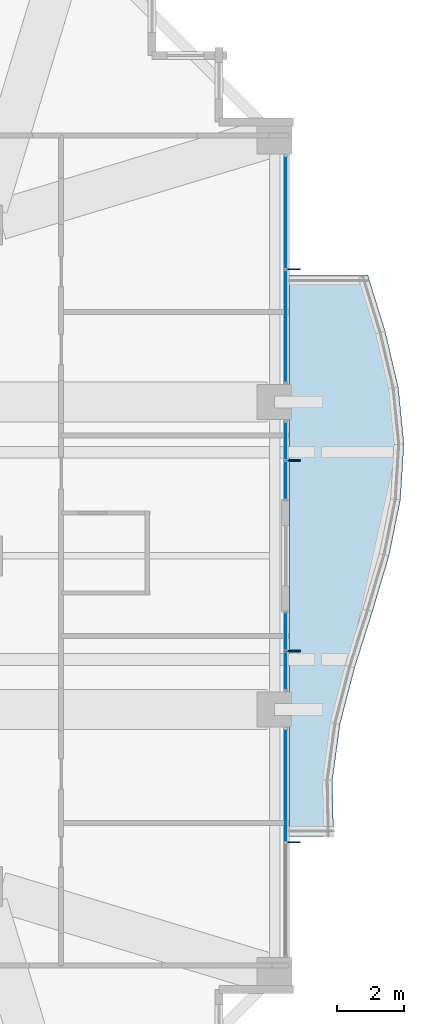
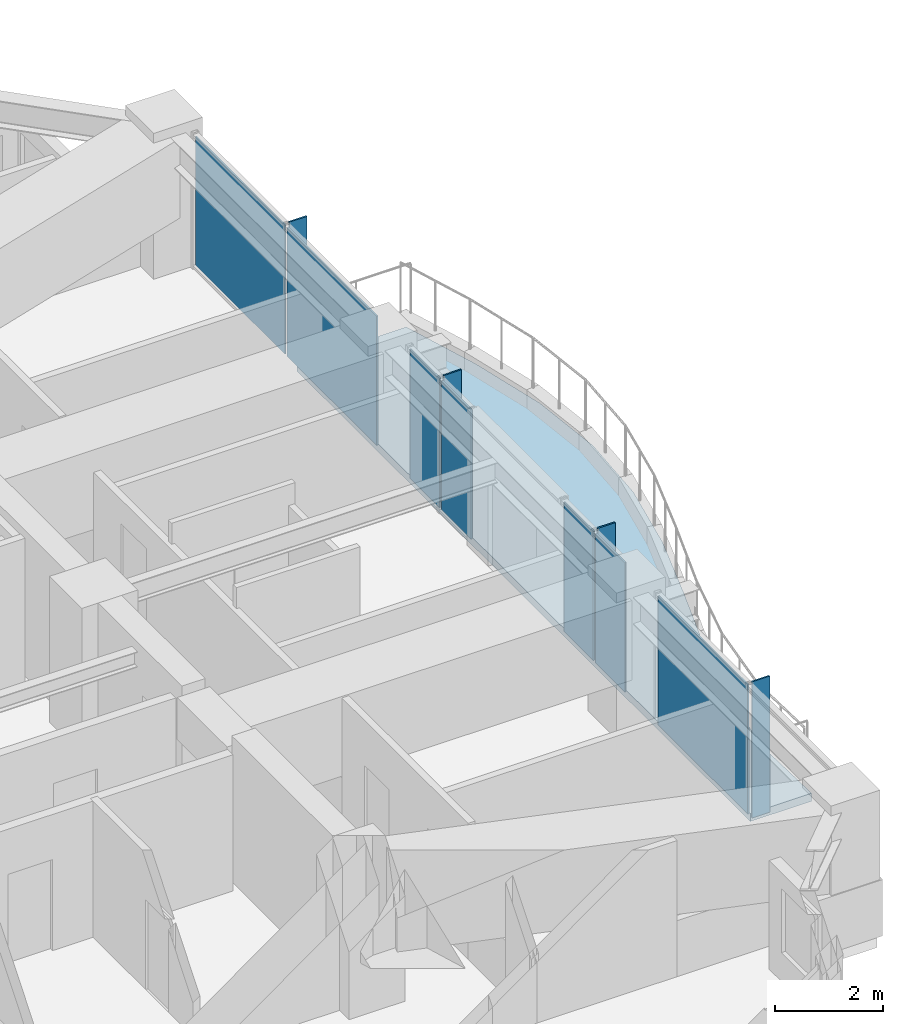
# One storey, part 28 of 36: 11 plates, 1 slab, 4 elements without a shape of their own.
"""IFC4 building model written with IfcOpenShell, lengths in metres."""

from ifc_helpers import new_model, si_unit, direction, frame, origin, origin_2d, place, context, subcontext, project, spatial, polyline, rectangle, outline, extrude, material, layer, layer_set, type_object, element, aggregate, save


model = new_model("IFC4")

# Units and contexts
model_context = context("Model", 3, precision=1e-05, world=origin(), true_north=direction((0.0, 1.0)))
body_context = subcontext(model_context, "Body", "Model", "MODEL_VIEW")
ifc_project = project(units=[si_unit("LENGTHUNIT", "METRE"), si_unit("AREAUNIT", "SQUARE_METRE"), si_unit("VOLUMEUNIT", "CUBIC_METRE"), si_unit("PLANEANGLEUNIT", "RADIAN"), si_unit("MASSUNIT", "GRAM", prefix="KILO")], contexts=[model_context])

# Site, building, storey
site_placement = place(None, origin())
site = spatial("IfcSite", under=ifc_project, at=site_placement, CompositionType="ELEMENT")
building_placement = place(site_placement, origin())
building = spatial("IfcBuilding", under=site, at=building_placement, Name="Kolvaren Belvedere", CompositionType="ELEMENT")
storey_placement = place(building_placement, frame((0.0, 0.0, 108.5)))
storey = spatial("IfcBuildingStorey", under=building, at=storey_placement, Name="L31", CompositionType="ELEMENT", Elevation=108.5)

# Curtain wall, plates
ifc_material_1 = material(Name="Anodised pale-metal aluminium AA 6063-T6", Category="aluminium")
curtain_wall_type = type_object("IfcCurtainWallType", Name="CW-Z3-WAIST", PredefinedType="NOTDEFINED", material=ifc_material_1)
curtain_wall_1_placement = place(storey_placement, origin())
curtain_wall_1 = element("IfcCurtainWall", 1, at=curtain_wall_1_placement, inside=storey, type_object=curtain_wall_type, Name="L31 Unitised Curtain Wall FCW-L31-E1-B1", PredefinedType="NOTDEFINED")
ifc_material_2 = material(Name="Low-iron triple insulated glass", Category="glass")
ifc_layer_1 = layer(ifc_material_2, 0.028076171875)
ifc_layer_set_1 = layer_set([ifc_layer_1], Name="Low-iron triple insulated glass")
plate_type_1 = type_object("IfcPlateType", Name="CW-PNL-VIS28", PredefinedType="CURTAIN_PANEL", material=ifc_layer_set_1)
plate_1_placement = place(storey_placement, frame((18.97998046875, 10.273681640625, 0.080078125), z_axis=(0.0, 0.0, 1.0), x_axis=(0.0, -1.0, 0.0)))
plate_1 = element("IfcPlate", 2, at=plate_1_placement, type_object=plate_type_1, Name="FCW-L31-E1-B1 Vision Glazing Panel 1", PredefinedType="CURTAIN_PANEL", context=body_context, shape_type="SweptSolid", body=[
    extrude(rectangle(XDim=3.3173828125, YDim=0.028076171875, at=origin_2d()), origin(), (0.0, 0.0, 1.0), 2.919921875),
])
plate_2_placement = place(storey_placement, frame((18.97998046875, 6.876220703125, 0.080078125), z_axis=(0.0, 0.0, 1.0), x_axis=(0.0, -1.0, 0.0)))
plate_2 = element("IfcPlate", 3, at=plate_2_placement, type_object=plate_type_1, Name="FCW-L31-E1-B1 Vision Glazing Panel 2", PredefinedType="CURTAIN_PANEL", context=body_context, shape_type="SweptSolid", body=[
    extrude(rectangle(XDim=3.3173828125, YDim=0.028076171875, at=origin_2d()), origin(), (0.0, 0.0, 1.0), 2.919921875),
])
aggregate(curtain_wall_1, [plate_1, plate_2])

curtain_wall_2_placement = place(storey_placement, origin())
curtain_wall_2 = element("IfcCurtainWall", 4, at=curtain_wall_2_placement, inside=storey, type_object=curtain_wall_type, Name="L31 Unitised Curtain Wall FCW-L31-E1-B2", PredefinedType="NOTDEFINED")
plate_3_placement = place(storey_placement, frame((18.97998046875, 3.43701171875, 0.080078125), z_axis=(0.0, 0.0, 1.0), x_axis=(0.0, -1.0, 0.0)))
plate_3 = element("IfcPlate", 5, at=plate_3_placement, type_object=plate_type_1, Name="FCW-L31-E1-B2 Vision Glazing Panel 1", PredefinedType="CURTAIN_PANEL", context=body_context, shape_type="SweptSolid", body=[
    extrude(rectangle(XDim=1.09130859375, YDim=0.028076171875, at=origin_2d()), origin(), (0.0, 0.0, 1.0), 2.919921875),
])
plate_4_placement = place(storey_placement, frame((18.97998046875, 2.265625, 0.080078125), z_axis=(0.0, 0.0, 1.0), x_axis=(0.0, -1.0, 0.0)))
plate_4 = element("IfcPlate", 6, at=plate_4_placement, type_object=plate_type_1, Name="FCW-L31-E1-B2 Vision Glazing Panel 2", PredefinedType="CURTAIN_PANEL", context=body_context, shape_type="SweptSolid", body=[
    extrude(rectangle(XDim=1.09130859375, YDim=0.028076171875, at=origin_2d()), origin(), (0.0, 0.0, 1.0), 2.919921875),
])
aggregate(curtain_wall_2, [plate_3, plate_4])

curtain_wall_3_placement = place(storey_placement, origin())
curtain_wall_3 = element("IfcCurtainWall", 7, at=curtain_wall_3_placement, inside=storey, type_object=curtain_wall_type, Name="L31 Unitised Curtain Wall FCW-L31-E2-B1", PredefinedType="NOTDEFINED")
plate_5_placement = place(storey_placement, frame((18.97998046875, -2.265625, 0.080078125), z_axis=(0.0, 0.0, 1.0), x_axis=(0.0, -1.0, 0.0)))
plate_5 = element("IfcPlate", 8, at=plate_5_placement, type_object=plate_type_1, Name="FCW-L31-E2-B1 Vision Glazing Panel 1", PredefinedType="CURTAIN_PANEL", context=body_context, shape_type="SweptSolid", body=[
    extrude(rectangle(XDim=1.09130859375, YDim=0.028076171875, at=origin_2d()), origin(), (0.0, 0.0, 1.0), 2.919921875),
])
plate_6_placement = place(storey_placement, frame((18.97998046875, -3.43701171875, 0.080078125), z_axis=(0.0, 0.0, 1.0), x_axis=(0.0, -1.0, 0.0)))
plate_6 = element("IfcPlate", 9, at=plate_6_placement, type_object=plate_type_1, Name="FCW-L31-E2-B1 Vision Glazing Panel 2", PredefinedType="CURTAIN_PANEL", context=body_context, shape_type="SweptSolid", body=[
    extrude(rectangle(XDim=1.09130859375, YDim=0.028076171875, at=origin_2d()), origin(), (0.0, 0.0, 1.0), 2.919921875),
])
aggregate(curtain_wall_3, [plate_5, plate_6])

# Curtain wall, plate
curtain_wall_4_placement = place(storey_placement, origin())
curtain_wall_4 = element("IfcCurtainWall", 10, at=curtain_wall_4_placement, inside=storey, type_object=curtain_wall_type, Name="L31 Unitised Curtain Wall FCW-L31-E2-B2", PredefinedType="NOTDEFINED")
plate_7_placement = place(storey_placement, frame((18.97998046875, -6.876220703125, 0.080078125), z_axis=(0.0, 0.0, 1.0), x_axis=(0.0, -1.0, 0.0)))
plate_7 = element("IfcPlate", 11, at=plate_7_placement, type_object=plate_type_1, Name="FCW-L31-E2-B2 Vision Glazing Panel 1", PredefinedType="CURTAIN_PANEL", context=body_context, shape_type="SweptSolid", body=[
    extrude(rectangle(XDim=3.3173828125, YDim=0.028076171875, at=origin_2d()), origin(), (0.0, 0.0, 1.0), 2.919921875),
])
aggregate(curtain_wall_4, [plate_7])

# Plates
ifc_material_3 = material(Name="Anodised pale-metal aluminium AA 6063-T6", Category="aluminium")
ifc_layer_2 = layer(ifc_material_3, 0.033935546875)
ifc_layer_set_2 = layer_set([ifc_layer_2], Name="Anodised pale-metal aluminium AA 6063-T6")
plate_type_2 = type_object("IfcPlateType", Name="FIN-VERT-380", PredefinedType="USERDEFINED", material=ifc_layer_set_2)
for number, where, z_axis, x_axis, name in (
    (12, (19.219970703125, 8.574951171875, 0.0), (0.0, 0.0, 1.0), (1.0, 0.0, 0.0), "L31 Pale-Metal Vertical Shading Fin FCW-L31-E1-B1-1"),
    (13, (19.219970703125, 2.851318359375, 0.0), (0.0, 0.0, 1.0), (1.0, 0.0, 0.0), "L31 Pale-Metal Vertical Shading Fin FCW-L31-E1-B2-1"),
    (14, (19.219970703125, -2.851318359375, 0.0), (0.0, 0.0, 1.0), (1.0, 0.0, 0.0), "L31 Pale-Metal Vertical Shading Fin FCW-L31-E2-B1-1"),
    (15, (19.219970703125, -8.574951171875, 0.0), (0.0, 0.0, 1.0), (1.0, 0.0, 0.0), "L31 Pale-Metal Vertical Shading Fin FCW-L31-E2-B2-1"),
):
    element("IfcPlate", number, at=place(storey_placement, frame(where, z_axis=z_axis, x_axis=x_axis)), inside=storey, type_object=plate_type_2, Name=name, ObjectType="VERTICAL FIN", PredefinedType="USERDEFINED", context=body_context, shape_type="SweptSolid", body=[
        extrude(rectangle(XDim=0.3798828125, YDim=0.033935546875, at=origin_2d()), origin(), (0.0, 0.0, 1.0), 3.080078125),
    ])

# Slab
ifc_material_4 = material(Name="Concrete C50/60", Category="concrete")
ifc_layer_3 = layer(ifc_material_4, 0.179931640625)
ifc_layer_set_3 = layer_set([ifc_layer_3], Name="Concrete C50/60")
slab_type = type_object("IfcSlabType", Name="SL-BAL-180", PredefinedType="FLOOR", material=ifc_layer_set_3)
slab_placement = place(storey_placement, frame((0.0, 0.0, -0.219970703125)))
element("IfcSlab", 16, at=slab_placement, inside=storey, type_object=slab_type, Name="L31 Planted Balcony BAL-E", PredefinedType="FLOOR", context=body_context, shape_type="SweptSolid", body=[
    extrude(outline(polyline([(20.412841796875, -8.39990234375), (20.379150390625, -6.719970703125), (20.60791015625, -5.0400390625), (21.04248046875, -3.360107421875), (21.575439453125, -1.679931640625), (22.07470703125, 0.0), (22.417236328125, 1.679931640625), (22.52001953125, 3.360107421875), (22.351806640625, 5.0400390625), (21.960205078125, 6.719970703125), (21.43994140625, 8.39990234375), (19.10009765625, 8.39990234375), (19.10009765625, 6.719970703125), (19.10009765625, 5.0400390625), (19.10009765625, 3.360107421875), (19.10009765625, 1.679931640625), (19.10009765625, 0.0), (19.10009765625, -1.679931640625), (19.10009765625, -3.360107421875), (19.10009765625, -5.0400390625), (19.10009765625, -6.719970703125), (19.10009765625, -8.39990234375), (20.412841796875, -8.39990234375)])), origin(), (0.0, 0.0, 1.0), 0.179931640625),
])

save(model, "model.ifc")
